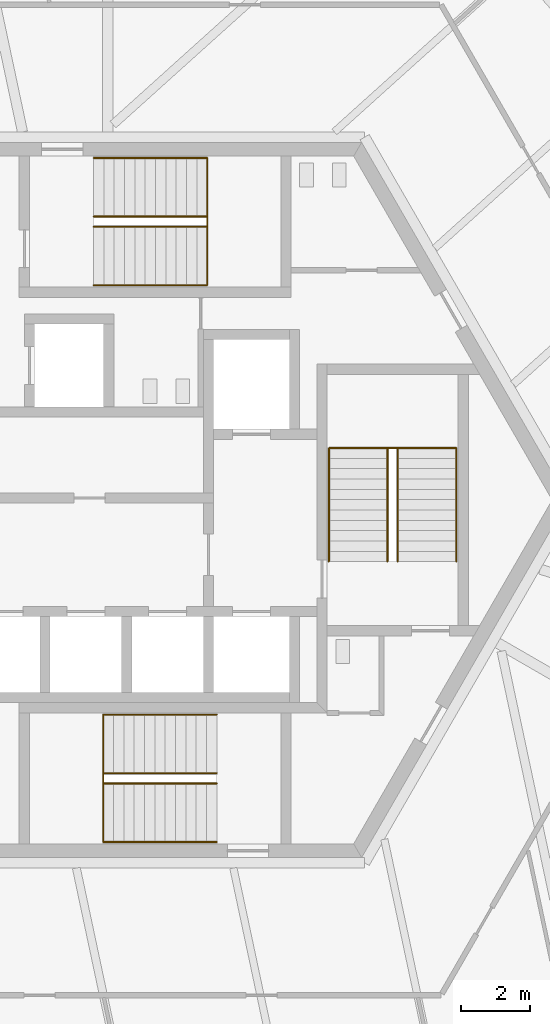
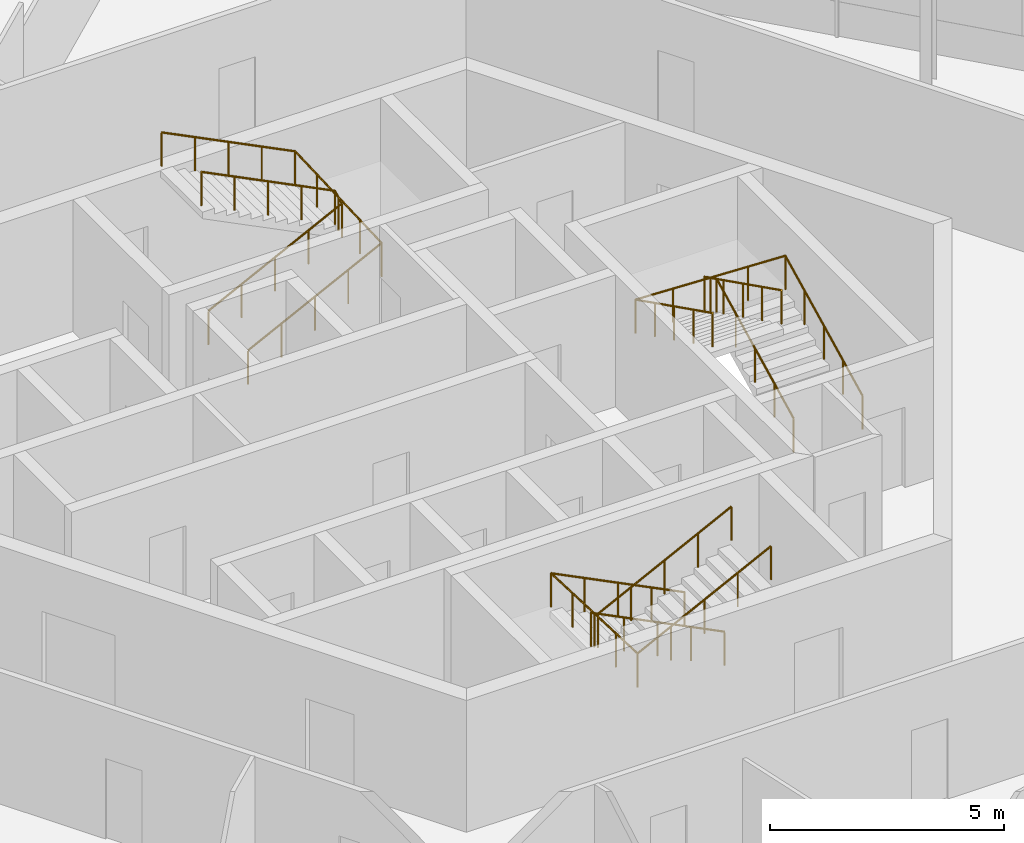
# One storey, part 14 of 15: 6 railings.
"""IFC4 building model written with IfcOpenShell, lengths in metres."""

from ifc_helpers import new_model, si_unit, direction, frame, origin, origin_2d, place, context, subcontext, project, spatial, circle, extrude, source, transform, mapped, material, type_object, element, save


model = new_model("IFC4")

# Units and contexts
model_context = context("Model", 3, precision=1e-05, world=origin(), true_north=direction((0.0, 1.0)))
body_context = subcontext(model_context, "Body", "Model", "MODEL_VIEW")
ifc_project = project(units=[si_unit("LENGTHUNIT", "METRE"), si_unit("AREAUNIT", "SQUARE_METRE"), si_unit("VOLUMEUNIT", "CUBIC_METRE"), si_unit("PLANEANGLEUNIT", "RADIAN"), si_unit("MASSUNIT", "GRAM", prefix="KILO")], contexts=[model_context])

# Site, building, storey
site_placement = place(None, origin())
site = spatial("IfcSite", under=ifc_project, at=site_placement, CompositionType="ELEMENT")
building_placement = place(site_placement, origin())
building = spatial("IfcBuilding", under=site, at=building_placement, Name="Triune Harvest Tower", CompositionType="ELEMENT")
storey_placement = place(building_placement, frame((0.0, 0.0, 277.5)))
storey = spatial("IfcBuildingStorey", under=building, at=storey_placement, Name="L73", CompositionType="ELEMENT", Elevation=277.5)

# Railings
ifc_material = material(Name="Stainless steel AISI 316", Category="steel")
railing_type = type_object("IfcRailingType", Name="Stair handrail", PredefinedType="HANDRAIL", material=ifc_material)
shared_shape_1 = source(origin(), body_context, "Body", "SweptSolid", [
    extrude(circle(Radius=0.02392578125, at=origin_2d()), frame((0.0, 0.0, 0.8759765625), z_axis=(0.894413956696, 0.0, 0.447240063129), x_axis=(0.0, 1.0, 0.0)), (0.0, 0.0, 1.0), 3.689697265625),
    extrude(circle(Radius=0.02392578125, at=origin_2d()), frame((3.300048828125, 0.0, 2.52587890625), z_axis=(0.0, 0.999180289278, 0.040481471304), x_axis=(-1.0, 0.0, 0.0)), (0.0, 0.0, 1.0), 3.702880859375),
    extrude(circle(Radius=0.02392578125, at=origin_2d()), frame((3.300048828125, 3.699951171875, 2.67578125), z_axis=(-0.894413956696, 0.0, 0.447240063129), x_axis=(0.0, -1.0, 0.0)), (0.0, 0.0, 1.0), 3.689697265625),
    extrude(circle(Radius=0.02099609375, at=origin_2d()), origin(), (0.0, 0.0, 1.0), 0.851806640625),
    extrude(circle(Radius=0.02099609375, at=origin_2d()), frame((0.824951171875, 0.0, 0.41259765625)), (0.0, 0.0, 1.0), 0.851806640625),
    extrude(circle(Radius=0.02099609375, at=origin_2d()), frame((1.64990234375, 0.0, 0.8251953125)), (0.0, 0.0, 1.0), 0.851806640625),
    extrude(circle(Radius=0.02099609375, at=origin_2d()), frame((2.47509765625, 0.0, 1.237548828125)), (0.0, 0.0, 1.0), 0.851806640625),
    extrude(circle(Radius=0.02099609375, at=origin_2d()), frame((3.300048828125, 0.0, 1.650146484375)), (0.0, 0.0, 1.0), 0.851806640625),
    extrude(circle(Radius=0.02099609375, at=origin_2d()), frame((3.300048828125, 0.925048828125, 1.6875)), (0.0, 0.0, 1.0), 0.851806640625),
    extrude(circle(Radius=0.02099609375, at=origin_2d()), frame((3.300048828125, 1.85009765625, 1.72509765625)), (0.0, 0.0, 1.0), 0.851806640625),
    extrude(circle(Radius=0.02099609375, at=origin_2d()), frame((3.300048828125, 2.77490234375, 1.7626953125)), (0.0, 0.0, 1.0), 0.851806640625),
    extrude(circle(Radius=0.02099609375, at=origin_2d()), frame((3.300048828125, 3.699951171875, 1.800048828125)), (0.0, 0.0, 1.0), 0.851806640625),
    extrude(circle(Radius=0.02099609375, at=origin_2d()), frame((2.47509765625, 3.699951171875, 2.212646484375)), (0.0, 0.0, 1.0), 0.851806640625),
    extrude(circle(Radius=0.02099609375, at=origin_2d()), frame((1.64990234375, 3.699951171875, 2.625)), (0.0, 0.0, 1.0), 0.851806640625),
    extrude(circle(Radius=0.02099609375, at=origin_2d()), frame((0.824951171875, 3.699951171875, 3.03759765625)), (0.0, 0.0, 1.0), 0.851806640625),
    extrude(circle(Radius=0.02099609375, at=origin_2d()), frame((0.0, 3.699951171875, 3.4501953125)), (0.0, 0.0, 1.0), 0.851806640625),
])
railing_1_placement = place(storey_placement, frame((-1.7900390625, 6.239990234375, 0.14990234375)))
element("IfcRailing", 1, at=railing_1_placement, inside=storey, type_object=railing_type, Name="Exit stair north wall handrail", PredefinedType="HANDRAIL", context=body_context, shape_type="MappedRepresentation", body=[
    mapped(shared_shape_1, transform((0.0, 0.0, 0.0), scale=1.0)),
])
shared_shape_2 = source(origin(), body_context, "Body", "SweptSolid", [
    extrude(circle(Radius=0.02392578125, at=origin_2d()), frame((0.0, 0.0, 0.8759765625), z_axis=(0.894413956696, 0.0, 0.447240063129), x_axis=(0.0, 1.0, 0.0)), (0.0, 0.0, 1.0), 3.689697265625),
    extrude(circle(Radius=0.02392578125, at=origin_2d()), frame((3.300048828125, 0.0, 2.52587890625), z_axis=(0.0, 0.894572720946, 0.446922417137), x_axis=(-1.0, 0.0, 0.0)), (0.0, 0.0, 1.0), 0.33544921875),
    extrude(circle(Radius=0.02392578125, at=origin_2d()), frame((3.300048828125, 0.300048828125, 2.67578125), z_axis=(-0.894413956696, 0.0, 0.447240063129), x_axis=(0.0, -1.0, 0.0)), (0.0, 0.0, 1.0), 3.689697265625),
    extrude(circle(Radius=0.02099609375, at=origin_2d()), origin(), (0.0, 0.0, 1.0), 0.851806640625),
    extrude(circle(Radius=0.02099609375, at=origin_2d()), frame((0.824951171875, 0.0, 0.41259765625)), (0.0, 0.0, 1.0), 0.851806640625),
    extrude(circle(Radius=0.02099609375, at=origin_2d()), frame((1.64990234375, 0.0, 0.8251953125)), (0.0, 0.0, 1.0), 0.851806640625),
    extrude(circle(Radius=0.02099609375, at=origin_2d()), frame((2.47509765625, 0.0, 1.237548828125)), (0.0, 0.0, 1.0), 0.851806640625),
    extrude(circle(Radius=0.02099609375, at=origin_2d()), frame((3.300048828125, 0.0, 1.650146484375)), (0.0, 0.0, 1.0), 0.851806640625),
    extrude(circle(Radius=0.02099609375, at=origin_2d()), frame((3.300048828125, 0.300048828125, 1.800048828125)), (0.0, 0.0, 1.0), 0.851806640625),
    extrude(circle(Radius=0.02099609375, at=origin_2d()), frame((2.47509765625, 0.300048828125, 2.212646484375)), (0.0, 0.0, 1.0), 0.851806640625),
    extrude(circle(Radius=0.02099609375, at=origin_2d()), frame((1.64990234375, 0.300048828125, 2.625)), (0.0, 0.0, 1.0), 0.851806640625),
    extrude(circle(Radius=0.02099609375, at=origin_2d()), frame((0.824951171875, 0.300048828125, 3.03759765625)), (0.0, 0.0, 1.0), 0.851806640625),
    extrude(circle(Radius=0.02099609375, at=origin_2d()), frame((0.0, 0.300048828125, 3.4501953125)), (0.0, 0.0, 1.0), 0.851806640625),
])
railing_2_placement = place(storey_placement, frame((-1.7900390625, 7.93994140625, 0.14990234375)))
element("IfcRailing", 2, at=railing_2_placement, inside=storey, type_object=railing_type, Name="Exit stair north centre handrail", PredefinedType="HANDRAIL", context=body_context, shape_type="MappedRepresentation", body=[
    mapped(shared_shape_2, transform((0.0, 0.0, 0.0), scale=1.0)),
])
shared_shape_3 = source(origin(), body_context, "Body", "SweptSolid", [
    extrude(circle(Radius=0.02392578125, at=origin_2d()), frame((0.0, 0.0, 0.8759765625), z_axis=(-0.894413956696, 0.0, 0.447240063129), x_axis=(0.0, -1.0, 0.0)), (0.0, 0.0, 1.0), 3.689697265625),
    extrude(circle(Radius=0.02392578125, at=origin_2d()), frame((-3.300048828125, 0.0, 2.52587890625), z_axis=(0.0, -0.999180289278, 0.040481471304), x_axis=(1.0, 0.0, 0.0)), (0.0, 0.0, 1.0), 3.702880859375),
    extrude(circle(Radius=0.02392578125, at=origin_2d()), frame((-3.300048828125, -3.699951171875, 2.67578125), z_axis=(0.894413956696, 0.0, 0.447240063129), x_axis=(0.0, 1.0, 0.0)), (0.0, 0.0, 1.0), 3.689697265625),
    extrude(circle(Radius=0.02099609375, at=origin_2d()), origin(), (0.0, 0.0, 1.0), 0.851806640625),
    extrude(circle(Radius=0.02099609375, at=origin_2d()), frame((-0.824951171875, 0.0, 0.41259765625)), (0.0, 0.0, 1.0), 0.851806640625),
    extrude(circle(Radius=0.02099609375, at=origin_2d()), frame((-1.64990234375, 0.0, 0.8251953125)), (0.0, 0.0, 1.0), 0.851806640625),
    extrude(circle(Radius=0.02099609375, at=origin_2d()), frame((-2.47509765625, 0.0, 1.237548828125)), (0.0, 0.0, 1.0), 0.851806640625),
    extrude(circle(Radius=0.02099609375, at=origin_2d()), frame((-3.300048828125, 0.0, 1.650146484375)), (0.0, 0.0, 1.0), 0.851806640625),
    extrude(circle(Radius=0.02099609375, at=origin_2d()), frame((-3.300048828125, -0.925048828125, 1.6875)), (0.0, 0.0, 1.0), 0.851806640625),
    extrude(circle(Radius=0.02099609375, at=origin_2d()), frame((-3.300048828125, -1.85009765625, 1.72509765625)), (0.0, 0.0, 1.0), 0.851806640625),
    extrude(circle(Radius=0.02099609375, at=origin_2d()), frame((-3.300048828125, -2.77490234375, 1.7626953125)), (0.0, 0.0, 1.0), 0.851806640625),
    extrude(circle(Radius=0.02099609375, at=origin_2d()), frame((-3.300048828125, -3.699951171875, 1.800048828125)), (0.0, 0.0, 1.0), 0.851806640625),
    extrude(circle(Radius=0.02099609375, at=origin_2d()), frame((-2.47509765625, -3.699951171875, 2.212646484375)), (0.0, 0.0, 1.0), 0.851806640625),
    extrude(circle(Radius=0.02099609375, at=origin_2d()), frame((-1.64990234375, -3.699951171875, 2.625)), (0.0, 0.0, 1.0), 0.851806640625),
    extrude(circle(Radius=0.02099609375, at=origin_2d()), frame((-0.824951171875, -3.699951171875, 3.03759765625)), (0.0, 0.0, 1.0), 0.851806640625),
    extrude(circle(Radius=0.02099609375, at=origin_2d()), frame((0.0, -3.699951171875, 3.4501953125)), (0.0, 0.0, 1.0), 0.851806640625),
])
railing_3_placement = place(storey_placement, frame((1.7900390625, -6.239990234375, 0.14990234375)))
element("IfcRailing", 3, at=railing_3_placement, inside=storey, type_object=railing_type, Name="Exit stair south wall handrail", PredefinedType="HANDRAIL", context=body_context, shape_type="MappedRepresentation", body=[
    mapped(shared_shape_3, transform((0.0, 0.0, 0.0), scale=1.0)),
])
shared_shape_4 = source(origin(), body_context, "Body", "SweptSolid", [
    extrude(circle(Radius=0.02392578125, at=origin_2d()), frame((0.0, 0.0, 0.8759765625), z_axis=(-0.894413956696, 0.0, 0.447240063129), x_axis=(0.0, -1.0, 0.0)), (0.0, 0.0, 1.0), 3.689697265625),
    extrude(circle(Radius=0.02392578125, at=origin_2d()), frame((-3.300048828125, 0.0, 2.52587890625), z_axis=(0.0, -0.894572720946, 0.446922417137), x_axis=(1.0, 0.0, 0.0)), (0.0, 0.0, 1.0), 0.33544921875),
    extrude(circle(Radius=0.02392578125, at=origin_2d()), frame((-3.300048828125, -0.300048828125, 2.67578125), z_axis=(0.894413956696, 0.0, 0.447240063129), x_axis=(0.0, 1.0, 0.0)), (0.0, 0.0, 1.0), 3.689697265625),
    extrude(circle(Radius=0.02099609375, at=origin_2d()), origin(), (0.0, 0.0, 1.0), 0.851806640625),
    extrude(circle(Radius=0.02099609375, at=origin_2d()), frame((-0.824951171875, 0.0, 0.41259765625)), (0.0, 0.0, 1.0), 0.851806640625),
    extrude(circle(Radius=0.02099609375, at=origin_2d()), frame((-1.64990234375, 0.0, 0.8251953125)), (0.0, 0.0, 1.0), 0.851806640625),
    extrude(circle(Radius=0.02099609375, at=origin_2d()), frame((-2.47509765625, 0.0, 1.237548828125)), (0.0, 0.0, 1.0), 0.851806640625),
    extrude(circle(Radius=0.02099609375, at=origin_2d()), frame((-3.300048828125, 0.0, 1.650146484375)), (0.0, 0.0, 1.0), 0.851806640625),
    extrude(circle(Radius=0.02099609375, at=origin_2d()), frame((-3.300048828125, -0.300048828125, 1.800048828125)), (0.0, 0.0, 1.0), 0.851806640625),
    extrude(circle(Radius=0.02099609375, at=origin_2d()), frame((-2.47509765625, -0.300048828125, 2.212646484375)), (0.0, 0.0, 1.0), 0.851806640625),
    extrude(circle(Radius=0.02099609375, at=origin_2d()), frame((-1.64990234375, -0.300048828125, 2.625)), (0.0, 0.0, 1.0), 0.851806640625),
    extrude(circle(Radius=0.02099609375, at=origin_2d()), frame((-0.824951171875, -0.300048828125, 3.03759765625)), (0.0, 0.0, 1.0), 0.851806640625),
    extrude(circle(Radius=0.02099609375, at=origin_2d()), frame((0.0, -0.300048828125, 3.4501953125)), (0.0, 0.0, 1.0), 0.851806640625),
])
railing_4_placement = place(storey_placement, frame((1.7900390625, -7.93994140625, 0.14990234375)))
element("IfcRailing", 4, at=railing_4_placement, inside=storey, type_object=railing_type, Name="Exit stair south centre handrail", PredefinedType="HANDRAIL", context=body_context, shape_type="MappedRepresentation", body=[
    mapped(shared_shape_4, transform((0.0, 0.0, 0.0), scale=1.0)),
])
shared_shape_5 = source(origin(), body_context, "Body", "SweptSolid", [
    extrude(circle(Radius=0.02392578125, at=origin_2d()), frame((0.0, 0.0, 0.8759765625), z_axis=(0.0, 0.894413956696, 0.447240063129), x_axis=(-1.0, 0.0, 0.0)), (0.0, 0.0, 1.0), 3.689697265625),
    extrude(circle(Radius=0.02392578125, at=origin_2d()), frame((0.0, 3.300048828125, 2.52587890625), z_axis=(-0.999180289278, 0.0, 0.040481471304), x_axis=(0.0, -1.0, 0.0)), (0.0, 0.0, 1.0), 3.702880859375),
    extrude(circle(Radius=0.02392578125, at=origin_2d()), frame((-3.699951171875, 3.300048828125, 2.67578125), z_axis=(0.0, -0.894413956696, 0.447240063129), x_axis=(1.0, 0.0, 0.0)), (0.0, 0.0, 1.0), 3.689697265625),
    extrude(circle(Radius=0.02099609375, at=origin_2d()), origin(), (0.0, 0.0, 1.0), 0.851806640625),
    extrude(circle(Radius=0.02099609375, at=origin_2d()), frame((0.0, 0.824951171875, 0.41259765625)), (0.0, 0.0, 1.0), 0.851806640625),
    extrude(circle(Radius=0.02099609375, at=origin_2d()), frame((0.0, 1.64990234375, 0.8251953125)), (0.0, 0.0, 1.0), 0.851806640625),
    extrude(circle(Radius=0.02099609375, at=origin_2d()), frame((0.0, 2.47509765625, 1.237548828125)), (0.0, 0.0, 1.0), 0.851806640625),
    extrude(circle(Radius=0.02099609375, at=origin_2d()), frame((0.0, 3.300048828125, 1.650146484375)), (0.0, 0.0, 1.0), 0.851806640625),
    extrude(circle(Radius=0.02099609375, at=origin_2d()), frame((-0.925048828125, 3.300048828125, 1.6875)), (0.0, 0.0, 1.0), 0.851806640625),
    extrude(circle(Radius=0.02099609375, at=origin_2d()), frame((-1.85009765625, 3.300048828125, 1.72509765625)), (0.0, 0.0, 1.0), 0.851806640625),
    extrude(circle(Radius=0.02099609375, at=origin_2d()), frame((-2.77490234375, 3.300048828125, 1.7626953125)), (0.0, 0.0, 1.0), 0.851806640625),
    extrude(circle(Radius=0.02099609375, at=origin_2d()), frame((-3.699951171875, 3.300048828125, 1.800048828125)), (0.0, 0.0, 1.0), 0.851806640625),
    extrude(circle(Radius=0.02099609375, at=origin_2d()), frame((-3.699951171875, 2.47509765625, 2.212646484375)), (0.0, 0.0, 1.0), 0.851806640625),
    extrude(circle(Radius=0.02099609375, at=origin_2d()), frame((-3.699951171875, 1.64990234375, 2.625)), (0.0, 0.0, 1.0), 0.851806640625),
    extrude(circle(Radius=0.02099609375, at=origin_2d()), frame((-3.699951171875, 0.824951171875, 3.03759765625)), (0.0, 0.0, 1.0), 0.851806640625),
    extrude(circle(Radius=0.02099609375, at=origin_2d()), frame((-3.699951171875, 0.0, 3.4501953125)), (0.0, 0.0, 1.0), 0.851806640625),
])
railing_5_placement = place(storey_placement, frame((8.75, -1.7900390625, 0.14990234375)))
element("IfcRailing", 5, at=railing_5_placement, inside=storey, type_object=railing_type, Name="Exit stair east wall handrail", PredefinedType="HANDRAIL", context=body_context, shape_type="MappedRepresentation", body=[
    mapped(shared_shape_5, transform((0.0, 0.0, 0.0), scale=1.0)),
])
shared_shape_6 = source(origin(), body_context, "Body", "SweptSolid", [
    extrude(circle(Radius=0.02392578125, at=origin_2d()), frame((0.0, 0.0, 0.8759765625), z_axis=(0.0, 0.894413956696, 0.447240063129), x_axis=(-1.0, 0.0, 0.0)), (0.0, 0.0, 1.0), 3.689697265625),
    extrude(circle(Radius=0.02392578125, at=origin_2d()), frame((0.0, 3.300048828125, 2.52587890625), z_axis=(-0.894572720946, 0.0, 0.446922417137), x_axis=(0.0, -1.0, 0.0)), (0.0, 0.0, 1.0), 0.33544921875),
    extrude(circle(Radius=0.02392578125, at=origin_2d()), frame((-0.300048828125, 3.300048828125, 2.67578125), z_axis=(0.0, -0.894413956696, 0.447240063129), x_axis=(1.0, 0.0, 0.0)), (0.0, 0.0, 1.0), 3.689697265625),
    extrude(circle(Radius=0.02099609375, at=origin_2d()), origin(), (0.0, 0.0, 1.0), 0.851806640625),
    extrude(circle(Radius=0.02099609375, at=origin_2d()), frame((0.0, 0.824951171875, 0.41259765625)), (0.0, 0.0, 1.0), 0.851806640625),
    extrude(circle(Radius=0.02099609375, at=origin_2d()), frame((0.0, 1.64990234375, 0.8251953125)), (0.0, 0.0, 1.0), 0.851806640625),
    extrude(circle(Radius=0.02099609375, at=origin_2d()), frame((0.0, 2.47509765625, 1.237548828125)), (0.0, 0.0, 1.0), 0.851806640625),
    extrude(circle(Radius=0.02099609375, at=origin_2d()), frame((0.0, 3.300048828125, 1.650146484375)), (0.0, 0.0, 1.0), 0.851806640625),
    extrude(circle(Radius=0.02099609375, at=origin_2d()), frame((-0.300048828125, 3.300048828125, 1.800048828125)), (0.0, 0.0, 1.0), 0.851806640625),
    extrude(circle(Radius=0.02099609375, at=origin_2d()), frame((-0.300048828125, 2.47509765625, 2.212646484375)), (0.0, 0.0, 1.0), 0.851806640625),
    extrude(circle(Radius=0.02099609375, at=origin_2d()), frame((-0.300048828125, 1.64990234375, 2.625)), (0.0, 0.0, 1.0), 0.851806640625),
    extrude(circle(Radius=0.02099609375, at=origin_2d()), frame((-0.300048828125, 0.824951171875, 3.03759765625)), (0.0, 0.0, 1.0), 0.851806640625),
    extrude(circle(Radius=0.02099609375, at=origin_2d()), frame((-0.300048828125, 0.0, 3.4501953125)), (0.0, 0.0, 1.0), 0.851806640625),
])
railing_6_placement = place(storey_placement, frame((7.050048828125, -1.7900390625, 0.14990234375)))
element("IfcRailing", 6, at=railing_6_placement, inside=storey, type_object=railing_type, Name="Exit stair east centre handrail", PredefinedType="HANDRAIL", context=body_context, shape_type="MappedRepresentation", body=[
    mapped(shared_shape_6, transform((0.0, 0.0, 0.0), scale=1.0)),
])

save(model, "model.ifc")
